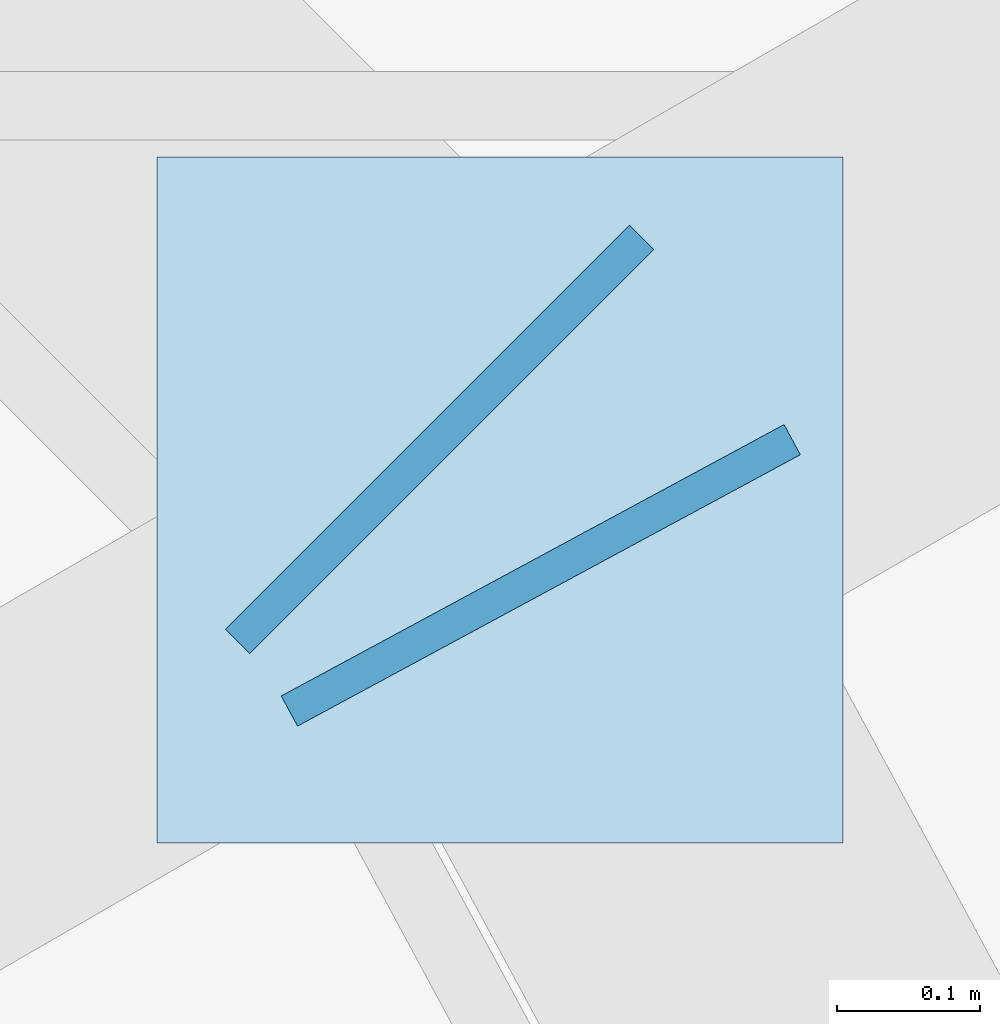
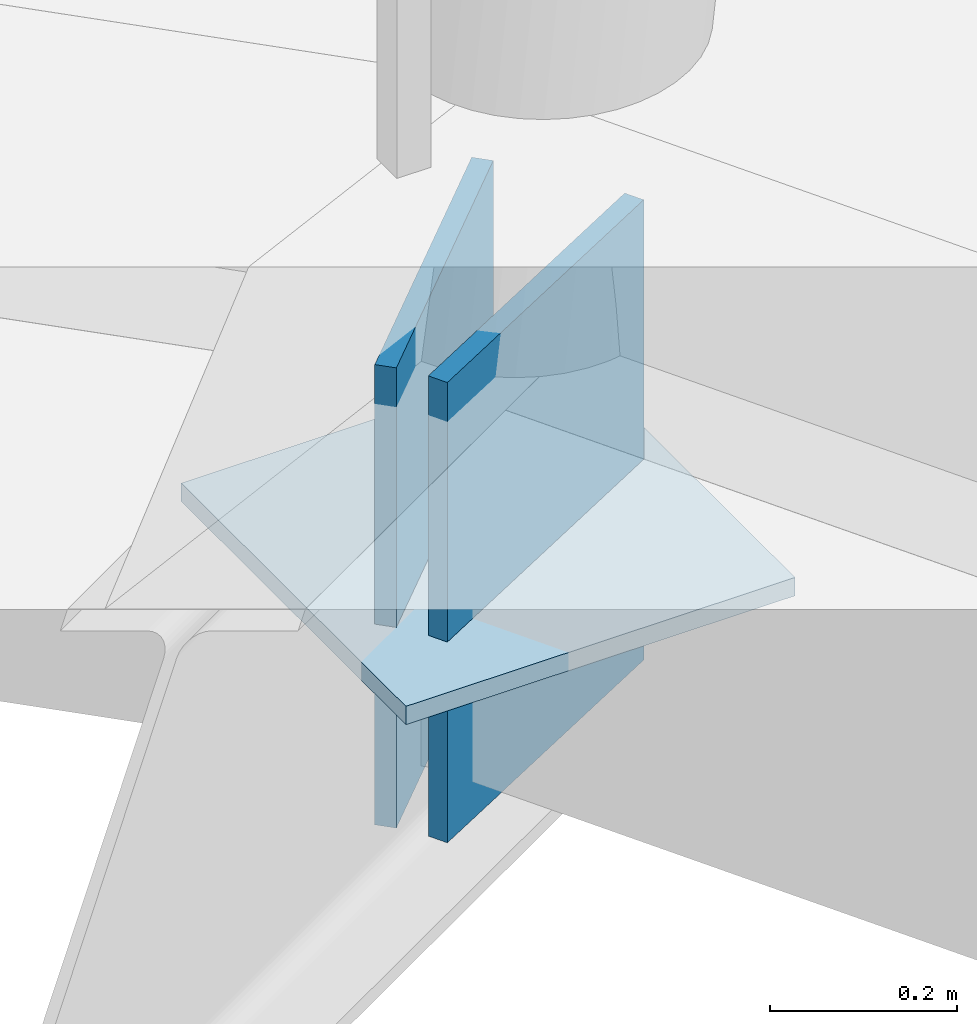
# One storey, part 114 of 178: 3 plates.
"""IFC4 building model written with IfcOpenShell, lengths in metres."""

from ifc_helpers import new_model, si_unit, direction, frame, origin, origin_2d, place, context, subcontext, project, spatial, rectangle, extrude, material, layer, layer_set, type_object, element, save


model = new_model("IFC4")

# Units and contexts
model_context = context("Model", 3, precision=1e-05, world=origin(), true_north=direction((0.0, 1.0)))
body_context = subcontext(model_context, "Body", "Model", "MODEL_VIEW")
ifc_project = project(units=[si_unit("LENGTHUNIT", "METRE"), si_unit("AREAUNIT", "SQUARE_METRE"), si_unit("VOLUMEUNIT", "CUBIC_METRE"), si_unit("PLANEANGLEUNIT", "RADIAN"), si_unit("MASSUNIT", "GRAM", prefix="KILO")], contexts=[model_context])

# Site, building, storey
site_placement = place(None, origin())
site = spatial("IfcSite", under=ifc_project, at=site_placement, CompositionType="ELEMENT")
building_placement = place(site_placement, origin())
building = spatial("IfcBuilding", under=site, at=building_placement, Name="Zlatoyarsky Gate Stadium", CompositionType="ELEMENT")
storey_placement = place(building_placement, frame((0.0, 0.0, 5.39990234375)))
storey = spatial("IfcBuildingStorey", under=building, at=storey_placement, Name="L01", CompositionType="ELEMENT", Elevation=5.39990234375)

# Plates
ifc_material = material(Name="Steel S355", Category="steel")
ifc_layer = layer(ifc_material, 0.02392578125)
ifc_layer_set = layer_set([ifc_layer], Name="Steel S355")
plate_type = type_object("IfcPlateType", Name="STEEL HOLLOW CHORD SPLICE SHEET 24", PredefinedType="SHEET", material=ifc_layer_set)
for number, where, z_axis, x_axis, name in (
    (1, (192.9619140625, 116.25146484375, -0.849853515625), (0.0, 0.0, 1.0), (-0.474957557599, 0.880008703639, 0.0), "Hollow end cap ND-SP1 CAP-L01-SPD-01 B"),
    (2, (192.89111328125, 116.3466796875, -0.849853515625), (0.0, 0.0, 1.0), (-0.707043292995, 0.707170263678, 0.0), "Hollow end cap ND-SP1 CAP-L01-SPD-02 A"),
):
    element("IfcPlate", number, at=place(storey_placement, frame(where, z_axis=z_axis, x_axis=x_axis)), inside=storey, type_object=plate_type, Name=name, PredefinedType="SHEET", context=body_context, shape_type="SweptSolid", body=[
        extrude(rectangle(XDim=0.02392578125, YDim=0.39990234375, at=origin_2d()), origin(), (0.0, 0.0, 1.0), 0.60009765625),
    ])
plate_placement = place(storey_placement, frame((192.933349609375, 116.30419921875, -0.61181640625), z_axis=(0.0, 0.0, 1.0), x_axis=(1.0, 0.0, 0.0)))
element("IfcPlate", 3, at=plate_placement, inside=storey, type_object=plate_type, Name="Node closure plate ND-SP1 NCAP-L01-RSTR-02", PredefinedType="SHEET", context=body_context, shape_type="SweptSolid", body=[
    extrude(rectangle(XDim=0.47998046875, YDim=0.47998046875, at=origin_2d()), origin(), (0.0, 0.0, 1.0), 0.02392578125),
])

save(model, "model.ifc")
